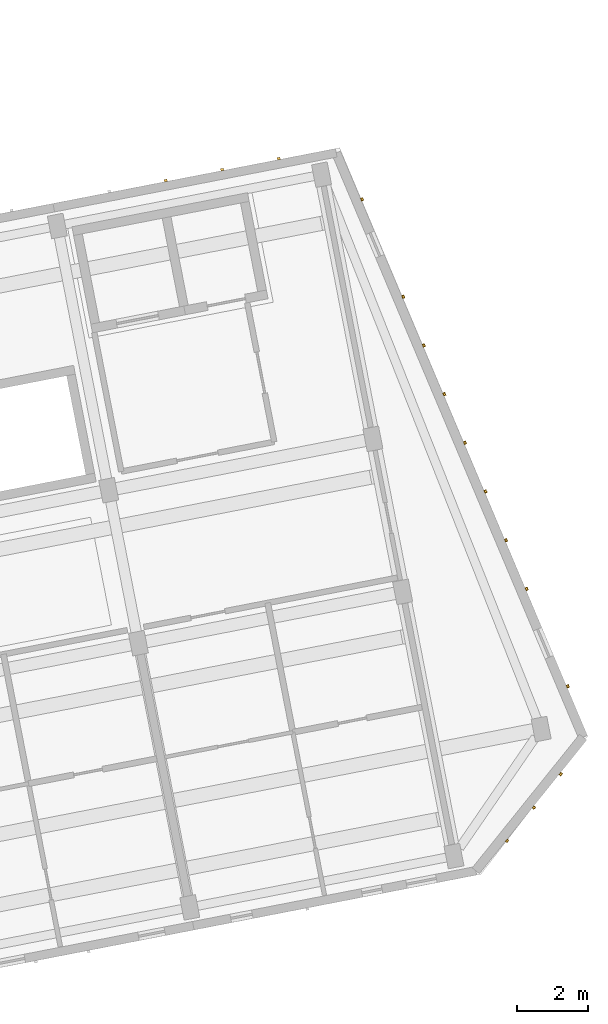
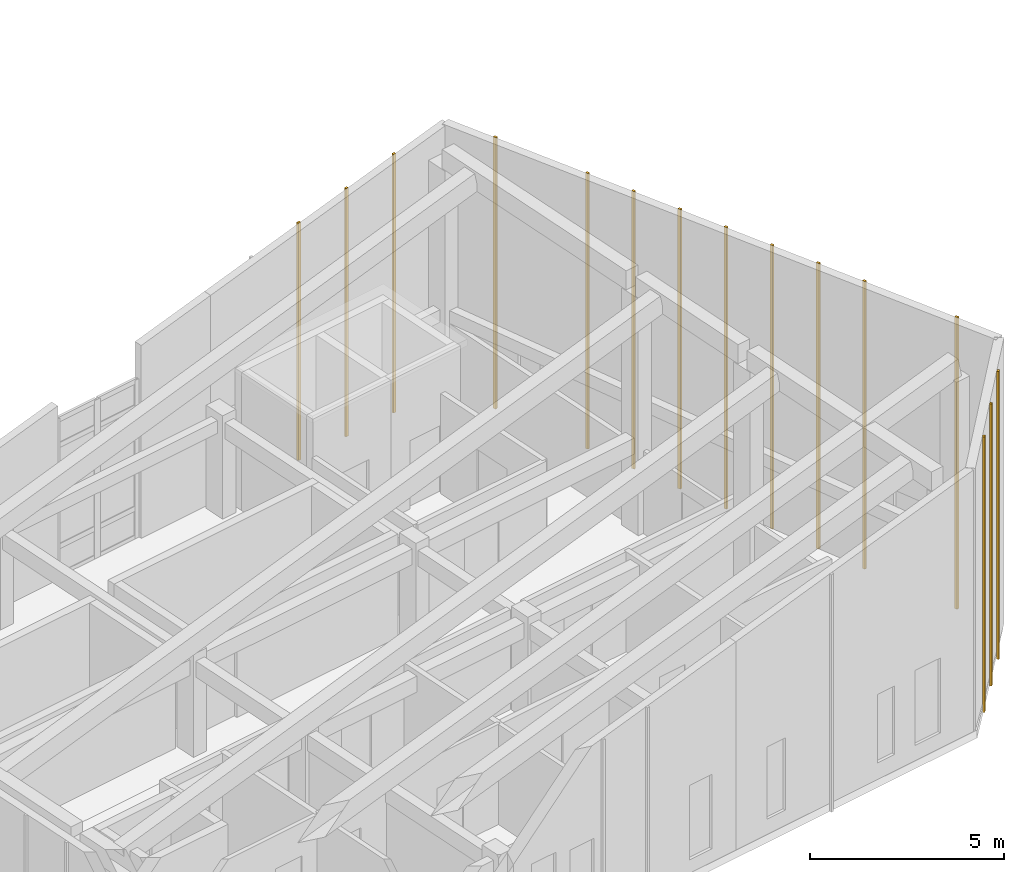
# One storey, part 52 of 56: 15 coverings.
"""IFC4 building model written with IfcOpenShell, lengths in metres."""

from ifc_helpers import new_model, si_unit, direction, frame, origin, origin_2d, place, context, subcontext, project, spatial, rectangle, extrude, material, layer, layer_set, type_object, element, save


model = new_model("IFC4")

# Units and contexts
model_context = context("Model", 3, precision=1e-05, world=origin(), true_north=direction((0.0, 1.0)))
body_context = subcontext(model_context, "Body", "Model", "MODEL_VIEW")
ifc_project = project(units=[si_unit("LENGTHUNIT", "METRE"), si_unit("AREAUNIT", "SQUARE_METRE"), si_unit("VOLUMEUNIT", "CUBIC_METRE"), si_unit("PLANEANGLEUNIT", "RADIAN"), si_unit("MASSUNIT", "GRAM", prefix="KILO")], contexts=[model_context])

# Site, building, storey
site_placement = place(None, origin())
site = spatial("IfcSite", under=ifc_project, at=site_placement, CompositionType="ELEMENT")
building_placement = place(site_placement, origin())
building = spatial("IfcBuilding", under=site, at=building_placement, Name="Kestramere Prow Commons", CompositionType="ELEMENT")
storey_placement = place(building_placement, frame((0.0, 0.0, 27.89990234375)))
storey = spatial("IfcBuildingStorey", under=building, at=storey_placement, Name="L08", CompositionType="ELEMENT", Elevation=27.89990234375)

# Coverings
ifc_material = material(Name="Weathered Zinc-Titanium Standing-Seam Cladding")
ifc_layer = layer(ifc_material, 0.074951171875)
ifc_layer_set = layer_set([ifc_layer], Name="Weathered Zinc-Titanium Standing-Seam Cladding")
covering_type = type_object("IfcCoveringType", Name="COV-CLAD-SEAM", PredefinedType="CLADDING", material=ifc_layer_set)
covering_1_placement = place(storey_placement, frame((155.02294921875, 61.77587890625, -0.25), z_axis=(0.0, 0.0, 1.0), x_axis=(0.981627183448, 0.190808995377, 0.0)))
element("IfcCovering", 1, at=covering_1_placement, inside=storey, type_object=covering_type, Name="EW-D-L08-N-5 Standing-Seam Rib 2", PredefinedType="CLADDING", context=body_context, shape_type="SweptSolid", body=[
    extrude(rectangle(XDim=0.0849609375, YDim=0.06494140625, at=origin_2d()), origin(), (0.0, 0.0, 1.0), 7.482177734375),
])
covering_2_placement = place(storey_placement, frame((156.6181640625, 62.0859375, -0.25), z_axis=(0.0, 0.0, 1.0), x_axis=(0.981627183448, 0.190808995377, 0.0)))
element("IfcCovering", 2, at=covering_2_placement, inside=storey, type_object=covering_type, Name="EW-D-L08-N-5 Standing-Seam Rib 3", PredefinedType="CLADDING", context=body_context, shape_type="SweptSolid", body=[
    extrude(rectangle(XDim=0.0849609375, YDim=0.06494140625, at=origin_2d()), origin(), (0.0, 0.0, 1.0), 7.818603515625),
])
covering_3_placement = place(storey_placement, frame((158.21337890625, 62.39599609375, -0.25), z_axis=(0.0, 0.0, 1.0), x_axis=(0.981627183448, 0.190808995377, 0.0)))
element("IfcCovering", 3, at=covering_3_placement, inside=storey, type_object=covering_type, Name="EW-D-L08-N-5 Standing-Seam Rib 4", PredefinedType="CLADDING", context=body_context, shape_type="SweptSolid", body=[
    extrude(rectangle(XDim=0.0849609375, YDim=0.06494140625, at=origin_2d()), origin(), (0.0, 0.0, 1.0), 8.15478515625),
])
covering_4_placement = place(storey_placement, frame((160.568115234375, 61.24462890625, -0.249755859375), z_axis=(0.0, 0.0, 1.0), x_axis=(0.389220414317, -0.92114465155, 0.0)))
element("IfcCovering", 4, at=covering_4_placement, inside=storey, type_object=covering_type, Name="EW-D-L08-PRW-N Standing-Seam Rib 1", PredefinedType="CLADDING", context=body_context, shape_type="SweptSolid", body=[
    extrude(rectangle(XDim=0.0849609375, YDim=0.06494140625, at=origin_2d()), origin(), (0.0, 0.0, 1.0), 8.5546875),
])
covering_5_placement = place(storey_placement, frame((161.72998046875, 58.4951171875, -0.25), z_axis=(0.0, 0.0, 1.0), x_axis=(0.389220414317, -0.92114465155, 0.0)))
element("IfcCovering", 5, at=covering_5_placement, inside=storey, type_object=covering_type, Name="EW-D-L08-PRW-N Standing-Seam Rib 3", PredefinedType="CLADDING", context=body_context, shape_type="SweptSolid", body=[
    extrude(rectangle(XDim=0.0849609375, YDim=0.06494140625, at=origin_2d()), origin(), (0.0, 0.0, 1.0), 8.682373046875),
])
covering_6_placement = place(storey_placement, frame((162.310791015625, 57.1201171875, -0.25), z_axis=(0.0, 0.0, 1.0), x_axis=(0.389220414317, -0.92114465155, 0.0)))
element("IfcCovering", 6, at=covering_6_placement, inside=storey, type_object=covering_type, Name="EW-D-L08-PRW-N Standing-Seam Rib 4", PredefinedType="CLADDING", context=body_context, shape_type="SweptSolid", body=[
    extrude(rectangle(XDim=0.0849609375, YDim=0.06494140625, at=origin_2d()), origin(), (0.0, 0.0, 1.0), 8.74609375),
])
covering_7_placement = place(storey_placement, frame((162.891845703125, 55.745361328125, -0.25), z_axis=(0.0, 0.0, 1.0), x_axis=(0.389220414317, -0.92114465155, 0.0)))
element("IfcCovering", 7, at=covering_7_placement, inside=storey, type_object=covering_type, Name="EW-D-L08-PRW-N Standing-Seam Rib 5", PredefinedType="CLADDING", context=body_context, shape_type="SweptSolid", body=[
    extrude(rectangle(XDim=0.0849609375, YDim=0.06494140625, at=origin_2d()), origin(), (0.0, 0.0, 1.0), 8.809814453125),
])
covering_8_placement = place(storey_placement, frame((163.47265625, 54.37060546875, -0.25), z_axis=(0.0, 0.0, 1.0), x_axis=(0.389220414317, -0.92114465155, 0.0)))
element("IfcCovering", 8, at=covering_8_placement, inside=storey, type_object=covering_type, Name="EW-D-L08-PRW-N Standing-Seam Rib 6", PredefinedType="CLADDING", context=body_context, shape_type="SweptSolid", body=[
    extrude(rectangle(XDim=0.0849609375, YDim=0.06494140625, at=origin_2d()), origin(), (0.0, 0.0, 1.0), 8.87353515625),
])
covering_9_placement = place(storey_placement, frame((164.0537109375, 52.995849609375, -0.25), z_axis=(0.0, 0.0, 1.0), x_axis=(0.389220414317, -0.92114465155, 0.0)))
element("IfcCovering", 9, at=covering_9_placement, inside=storey, type_object=covering_type, Name="EW-D-L08-PRW-N Standing-Seam Rib 7", PredefinedType="CLADDING", context=body_context, shape_type="SweptSolid", body=[
    extrude(rectangle(XDim=0.0849609375, YDim=0.06494140625, at=origin_2d()), origin(), (0.0, 0.0, 1.0), 8.937255859375),
])
covering_10_placement = place(storey_placement, frame((164.634521484375, 51.620849609375, -0.25), z_axis=(0.0, 0.0, 1.0), x_axis=(0.389220414317, -0.92114465155, 0.0)))
element("IfcCovering", 10, at=covering_10_placement, inside=storey, type_object=covering_type, Name="EW-D-L08-PRW-N Standing-Seam Rib 8", PredefinedType="CLADDING", context=body_context, shape_type="SweptSolid", body=[
    extrude(rectangle(XDim=0.0849609375, YDim=0.06494140625, at=origin_2d()), origin(), (0.0, 0.0, 1.0), 9.0009765625),
])
covering_11_placement = place(storey_placement, frame((165.215576171875, 50.24609375, -0.25), z_axis=(0.0, 0.0, 1.0), x_axis=(0.389220414317, -0.92114465155, 0.0)))
element("IfcCovering", 11, at=covering_11_placement, inside=storey, type_object=covering_type, Name="EW-D-L08-PRW-N Standing-Seam Rib 9", PredefinedType="CLADDING", context=body_context, shape_type="SweptSolid", body=[
    extrude(rectangle(XDim=0.0849609375, YDim=0.06494140625, at=origin_2d()), origin(), (0.0, 0.0, 1.0), 9.064697265625),
])
covering_12_placement = place(storey_placement, frame((166.37744140625, 47.496337890625, -0.25), z_axis=(0.0, 0.0, 1.0), x_axis=(0.389220414317, -0.92114465155, 0.0)))
element("IfcCovering", 12, at=covering_12_placement, inside=storey, type_object=covering_type, Name="EW-D-L08-PRW-N Standing-Seam Rib 11", PredefinedType="CLADDING", context=body_context, shape_type="SweptSolid", body=[
    extrude(rectangle(XDim=0.0849609375, YDim=0.06494140625, at=origin_2d()), origin(), (0.0, 0.0, 1.0), 9.192138671875),
])
covering_13_placement = place(storey_placement, frame((166.177490234375, 45.013427734375, -0.25), z_axis=(0.0, 0.0, 1.0), x_axis=(-0.626297717754, -0.779583971575, 0.0)))
element("IfcCovering", 13, at=covering_13_placement, inside=storey, type_object=covering_type, Name="EW-D-L08-PRW-S Standing-Seam Rib 1", PredefinedType="CLADDING", context=body_context, shape_type="SweptSolid", body=[
    extrude(rectangle(XDim=0.0849609375, YDim=0.06494140625, at=origin_2d()), origin(), (0.0, 0.0, 1.0), 9.064697265625),
])
covering_14_placement = place(storey_placement, frame((165.419921875, 44.0703125, -0.25), z_axis=(0.0, 0.0, 1.0), x_axis=(-0.626297717754, -0.779583971575, 0.0)))
element("IfcCovering", 14, at=covering_14_placement, inside=storey, type_object=covering_type, Name="EW-D-L08-PRW-S Standing-Seam Rib 2", PredefinedType="CLADDING", context=body_context, shape_type="SweptSolid", body=[
    extrude(rectangle(XDim=0.0849609375, YDim=0.06494140625, at=origin_2d()), origin(), (0.0, 0.0, 1.0), 8.87353515625),
])
covering_15_placement = place(storey_placement, frame((164.662109375, 43.127197265625, -0.25), z_axis=(0.0, 0.0, 1.0), x_axis=(-0.626297717754, -0.779583971575, 0.0)))
element("IfcCovering", 15, at=covering_15_placement, inside=storey, type_object=covering_type, Name="EW-D-L08-PRW-S Standing-Seam Rib 3", PredefinedType="CLADDING", context=body_context, shape_type="SweptSolid", body=[
    extrude(rectangle(XDim=0.0849609375, YDim=0.06494140625, at=origin_2d()), origin(), (0.0, 0.0, 1.0), 8.682373046875),
])

save(model, "model.ifc")
